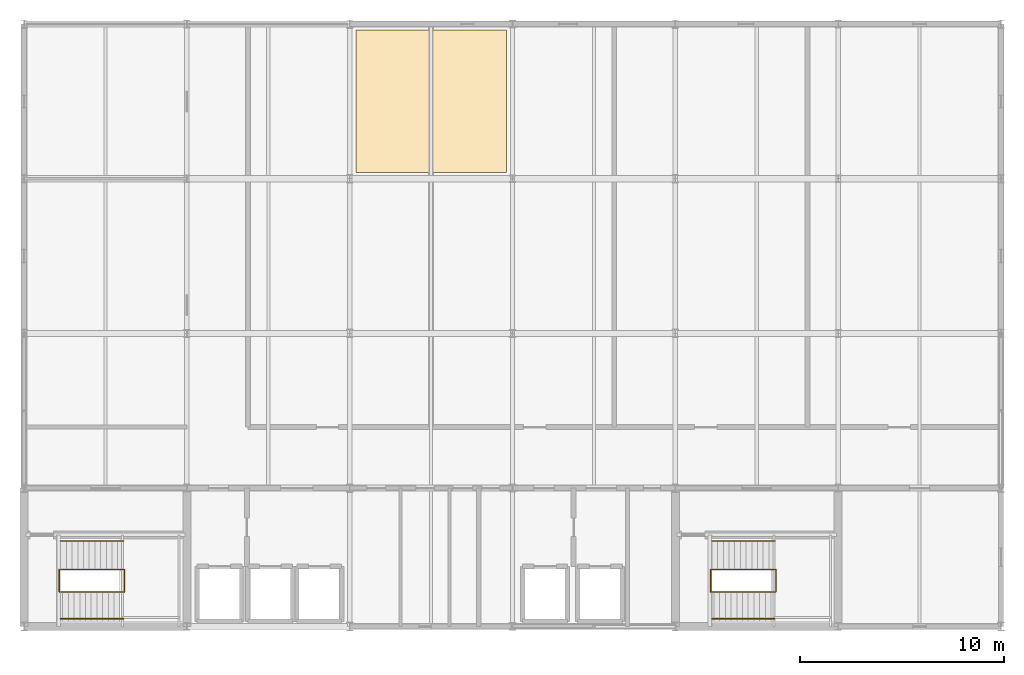
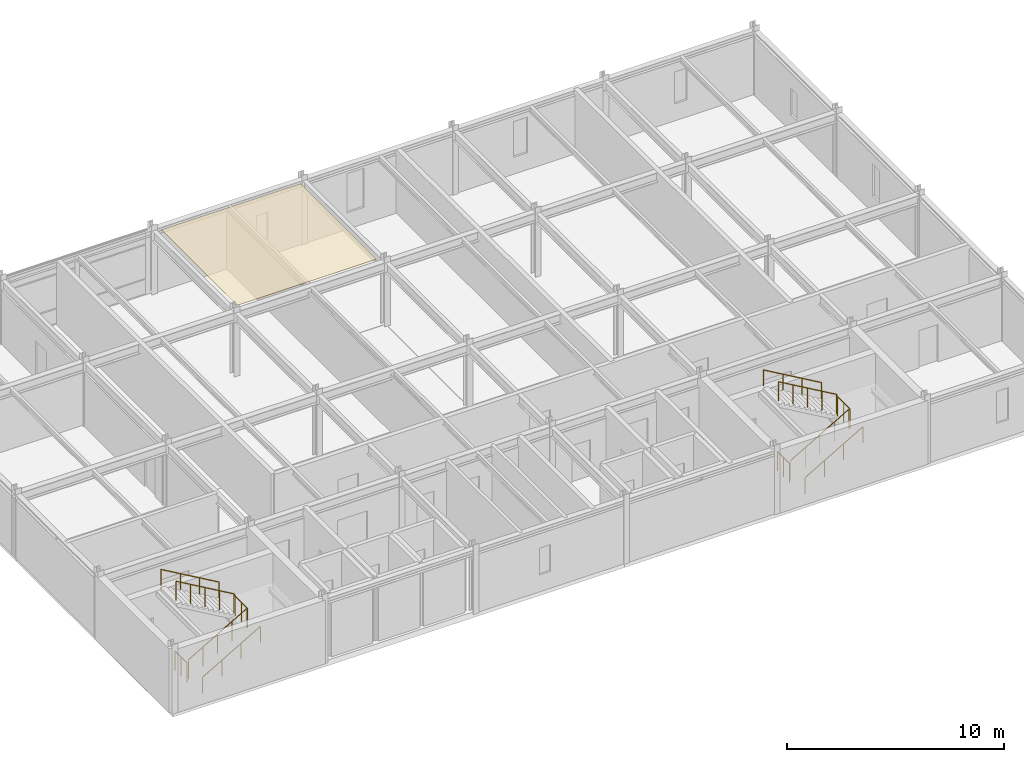
# One storey, part 9 of 9: 8 railings, 1 covering.
"""IFC4 building model written with IfcOpenShell, lengths in metres."""

import ifcopenshell
import ifcopenshell.guid

model = None  # the IFC model being written
_history = None  # IfcOwnerHistory: only IFC2X3 demands one
_inside = {}  # id of a spatial element -> (the spatial element, [elements in it])
_under = {}  # id of a project, library or spatial element -> (it, [spatial elements below it])
_declared = {}  # id of a project -> (the project, [libraries it declares])
_typed = {}  # id of a type object -> (the type object, [elements of that type])
_made_of = {}  # id of a material, layer set ... -> (it, [elements and type objects made of it])


def new_model(schema):
    """Start an empty IFC model of exactly this schema.

    Asked for "IFC4X3", IfcOpenShell would pick the latest addendum, in which some entities
    have other attributes; the version numbers below select the first issue.
    IFC2X3 requires an IfcOwnerHistory on every rooted entity: one is made here for all.
    """
    global model, _history
    if schema == "IFC4X3":
        model = ifcopenshell.file(schema_version=(4, 3, 0, 0))
    else:
        model = ifcopenshell.file(schema=schema)
    _inside.clear()
    _under.clear()
    _declared.clear()
    _typed.clear()
    _made_of.clear()
    _history = None
    if model.schema == "IFC2X3":
        org = make("IfcOrganization", Name="unknown")
        user = make(
            "IfcPersonAndOrganization",
            ThePerson=make("IfcPerson", FamilyName="unknown"),
            TheOrganization=org,
        )
        app = make(
            "IfcApplication",
            ApplicationDeveloper=org,
            Version="unknown",
            ApplicationFullName="unknown",
            ApplicationIdentifier="unknown",
        )
        _history = make(
            "IfcOwnerHistory",
            OwningUser=user,
            OwningApplication=app,
            ChangeAction="ADDED",
            CreationDate=0,
        )
    return model


def make(cls, **values):
    """One entity of the class cls with the attributes given. An attribute that is None is left unset."""
    return model.create_entity(
        cls, **{name: value for name, value in values.items() if value is not None}
    )


def rooted(cls, **values):
    """An entity with a GlobalId (a new one), such as an element, a storey or a relation."""
    return make(cls, GlobalId=ifcopenshell.guid.new(), OwnerHistory=_history, **values)


def si_unit(unit_type, name, prefix=None):
    """IfcSIUnit, for example si_unit("LENGTHUNIT", "METRE", prefix="MILLI")."""
    return make("IfcSIUnit", UnitType=unit_type, Prefix=prefix, Name=name)


def assignment(units):
    """IfcUnitAssignment: the units of a project."""
    return None if units is None else make("IfcUnitAssignment", Units=units)


def point(xyz):
    """IfcCartesianPoint."""
    return None if xyz is None else make("IfcCartesianPoint", Coordinates=xyz)


def direction(xyz):
    """IfcDirection."""
    return None if xyz is None else make("IfcDirection", DirectionRatios=xyz)


def frame(location, z_axis=None, x_axis=None):
    """IfcAxis2Placement3D, a coordinate frame: its origin and axes. An axis left out is left unset."""
    return make(
        "IfcAxis2Placement3D",
        Location=point(location),
        Axis=direction(z_axis),
        RefDirection=direction(x_axis),
    )


def frame_2d(location, x_axis=None):
    """IfcAxis2Placement2D, a coordinate frame in the plane: its origin and x axis."""
    return make(
        "IfcAxis2Placement2D", Location=point(location), RefDirection=direction(x_axis)
    )


def origin():
    """The frame at (0, 0, 0) with its axes left unset."""
    return frame((0.0, 0.0, 0.0))


def origin_2d():
    """The frame at (0, 0) in the plane with its x axis left unset."""
    return frame_2d((0.0, 0.0))


def place(relative_to, where):
    """IfcLocalPlacement: puts the frame where relative to a parent placement (None: the world)."""
    return make(
        "IfcLocalPlacement", PlacementRelTo=relative_to, RelativePlacement=where
    )


def context(
    kind, dimensions, precision=None, world=None, true_north=None, identifier=None
):
    """IfcGeometricRepresentationContext, for example the 3D "Model" context."""
    return make(
        "IfcGeometricRepresentationContext",
        ContextIdentifier=identifier,
        ContextType=kind,
        CoordinateSpaceDimension=dimensions,
        Precision=precision,
        WorldCoordinateSystem=world,
        TrueNorth=true_north,
    )


def subcontext(parent, identifier, kind, view, scale=None):
    """IfcGeometricRepresentationSubContext, for example "Body" below "Model"."""
    return make(
        "IfcGeometricRepresentationSubContext",
        ContextIdentifier=identifier,
        ContextType=kind,
        ParentContext=parent,
        TargetScale=scale,
        TargetView=view,
    )


def project(units=None, contexts=None):
    """IfcProject with its units and contexts."""
    return rooted(
        "IfcProject",
        Name="project",
        RepresentationContexts=contexts,
        UnitsInContext=assignment(units),
    )


def spatial(cls, under=None, at=None, **own):
    """A site, building, storey or space (cls), placed at a placement, below another one or the project."""
    s = rooted(cls, ObjectPlacement=at, **own)
    if under is not None:
        _under.setdefault(under.id(), (under, []))[1].append(s)
    return s


def polyline(points):
    """IfcPolyline through the points."""
    return make("IfcPolyline", Points=[point(p) for p in points])


def profile(cls, at=None, kind="AREA", **sizes):
    """A parametric profile (cls). Its sizes go by their IFC names, for example OverallWidth=200.0."""
    return make(cls, ProfileType=kind, Position=at, **sizes)


def circle(**sizes):
    """IfcCircleProfileDef."""
    return profile("IfcCircleProfileDef", **sizes)


def outline(outer, holes=None, kind="AREA"):
    """IfcArbitraryClosedProfileDef: a profile drawn as a closed curve; with holes, ...WithVoids."""
    if holes is None:
        return make("IfcArbitraryClosedProfileDef", ProfileType=kind, OuterCurve=outer)
    return make(
        "IfcArbitraryProfileDefWithVoids",
        ProfileType=kind,
        OuterCurve=outer,
        InnerCurves=holes,
    )


def extrude(swept, where, along, depth):
    """IfcExtrudedAreaSolid: the profile swept, set in the frame where, extruded along a direction by depth."""
    return make(
        "IfcExtrudedAreaSolid",
        SweptArea=swept,
        Position=where,
        ExtrudedDirection=direction(along),
        Depth=depth,
    )


def shape(context_of_items, identifier, shape_type, items):
    """IfcShapeRepresentation: the items that make up one representation, for example the "Body"."""
    return make(
        "IfcShapeRepresentation",
        ContextOfItems=context_of_items,
        RepresentationIdentifier=identifier,
        RepresentationType=shape_type,
        Items=items,
    )


def material(Name=None, Category=None):
    """IfcMaterial."""
    return make("IfcMaterial", Name=Name, Category=Category)


def layer(
    of_material, thickness, ventilated=None, Name=None, Category=None, Priority=None
):
    """IfcMaterialLayer: one layer of a wall or slab, of a material (None: an air gap)."""
    return make(
        "IfcMaterialLayer",
        Material=of_material,
        LayerThickness=thickness,
        IsVentilated=ventilated,
        Name=Name,
        Category=Category,
        Priority=Priority,
    )


def layer_set(layers, Name=None):
    """IfcMaterialLayerSet."""
    return make("IfcMaterialLayerSet", MaterialLayers=layers, LayerSetName=Name)


def made_of(thing, what):
    """Note that an element or type object is made of a material, layer set ...; save() writes the relation."""
    if what is not None:
        _made_of.setdefault(what.id(), (what, []))[1].append(thing)
    return thing


def type_object(cls, material=None, **own):
    """A type object (cls), such as IfcWallType, which elements share."""
    return made_of(rooted(cls, **own), material)


def element(
    cls,
    number,
    at=None,
    inside=None,
    cuts=None,
    type_object=None,
    material=None,
    context=None,
    identifier="Body",
    shape_type=None,
    held_by="IfcProductDefinitionShape",
    body=None,
    shapes=None,
    **own,
):
    """One element of the class cls, such as IfcWall. Its Tag is "e" and its number.

    at: its placement. inside: the storey or other place that contains it. cuts: it is an
    opening in that element (IfcRelVoidsElement). A single representation is given by context,
    identifier, shape_type and body (its items); several are given by shapes. held_by: the class
    of the entity that holds the representations. save() writes the other relations.
    """
    e = rooted(cls, Tag="e%d" % number, ObjectPlacement=at, **own)
    if body is not None:
        shapes = [shape(context, identifier, shape_type, body)]
    if shapes is not None:
        e.Representation = make(held_by, Representations=shapes)
    if inside is not None:
        _inside.setdefault(inside.id(), (inside, []))[1].append(e)
    if cuts is not None:
        rooted(
            "IfcRelVoidsElement", RelatingBuildingElement=cuts, RelatedOpeningElement=e
        )
    if type_object is not None:
        _typed.setdefault(type_object.id(), (type_object, []))[1].append(e)
    return made_of(e, material)


def aggregate(whole, parts):
    """IfcRelAggregates: a whole, such as a stair, and the parts it consists of."""
    return rooted("IfcRelAggregates", RelatingObject=whole, RelatedObjects=parts)


def save(model, path):
    """Write the relations noted so far, then the file.

    IfcRelAggregates (storeys below a building ...), IfcRelContainedInSpatialStructure (elements
    in a storey), IfcRelDefinesByType, IfcRelAssociatesMaterial and IfcRelDeclares: one each for
    every whole, place, type object, material and project.
    """
    for whole, parts in _under.values():
        aggregate(whole, parts)
    for where, things in _inside.values():
        rooted(
            "IfcRelContainedInSpatialStructure",
            RelatedElements=things,
            RelatingStructure=where,
        )
    for kind, things in _typed.values():
        rooted("IfcRelDefinesByType", RelatedObjects=things, RelatingType=kind)
    for what, things in _made_of.values():
        rooted("IfcRelAssociatesMaterial", RelatedObjects=things, RelatingMaterial=what)
    for by, libraries in _declared.values():
        rooted("IfcRelDeclares", RelatingContext=by, RelatedDefinitions=libraries)
    model.write(path)


model = new_model("IFC4")

# Units and contexts
model_context = context("Model", 3, precision=1e-05, world=origin(), true_north=direction((0.0, 1.0)))
body_context = subcontext(model_context, "Body", "Model", "MODEL_VIEW")
ifc_project = project(units=[si_unit("LENGTHUNIT", "METRE"), si_unit("AREAUNIT", "SQUARE_METRE"), si_unit("VOLUMEUNIT", "CUBIC_METRE"), si_unit("PLANEANGLEUNIT", "RADIAN"), si_unit("MASSUNIT", "GRAM", prefix="KILO")], contexts=[model_context])

# Site, building, storey
site_placement = place(None, origin())
site = spatial("IfcSite", under=ifc_project, at=site_placement, CompositionType="ELEMENT")
building_placement = place(site_placement, origin())
building = spatial("IfcBuilding", under=site, at=building_placement, Name="Shalkamar Park Central Library", CompositionType="ELEMENT")
storey_placement = place(building_placement, frame((0.0, 0.0, 60.0)))
storey = spatial("IfcBuildingStorey", under=building, at=storey_placement, Name="L15", CompositionType="ELEMENT", Elevation=60.0)

# Covering
ifc_material_1 = material(Name="Acoustic mineral fibre ceiling panel", Category="other")
ifc_layer = layer(ifc_material_1, 0.02490234375)
ifc_layer_set = layer_set([ifc_layer], Name="AcousticMineralCeilingTile")
covering_type = type_object("IfcCoveringType", Name="Acoustic Mineral Ceiling Tile", PredefinedType="CEILING", material=ifc_layer_set)
covering_placement = place(storey_placement, frame((0.0, 0.0, 3.554931640625)))
element("IfcCovering", 1, at=covering_placement, inside=storey, type_object=covering_type, Name="Acoustic Reading Ceiling Panel L15", PredefinedType="CEILING", context=body_context, shape_type="SweptSolid", body=[
    extrude(outline(polyline([(181.300048828125, 270.699951171875), (188.699951171875, 270.699951171875), (188.699951171875, 277.699951171875), (181.300048828125, 277.699951171875), (181.300048828125, 270.699951171875)])), origin(), (0.0, 0.0, 1.0), 0.025146484375),
])

# Railings
ifc_material_2 = material(Name="Steel S355", Category="steel")
railing_type_1 = type_object("IfcRailingType", Name="Stair Guardrail 1100", PredefinedType="GUARDRAIL", material=ifc_material_2)
railing_1_placement = place(storey_placement, frame((166.800048828125, 250.090087890625, 0.16259765625)))
element("IfcRailing", 2, at=railing_1_placement, inside=storey, type_object=railing_type_1, Name="Stair Inner Well Guardrail ST-T1-L15", PredefinedType="GUARDRAIL", context=body_context, shape_type="SweptSolid", body=[
    extrude(circle(Radius=0.02392578125, at=origin_2d()), frame((0.0, 0.0, 1.076171875), z_axis=(0.864903211148, 0.0, 0.501938676878), x_axis=(0.0, 1.0, 0.0)), (0.0, 0.0, 1.0), 3.560791015625),
    extrude(circle(Radius=0.02392578125, at=origin_2d()), frame((3.079833984375, 0.0, 2.86328125), z_axis=(1.0, 0.0, 0.0), x_axis=(0.0, 1.0, 0.0)), (0.0, 0.0, 1.0), 0.06005859375),
    extrude(circle(Radius=0.02392578125, at=origin_2d()), frame((3.139892578125, 0.0, 2.86328125), z_axis=(0.0, 1.0, 0.0), x_axis=(-1.0, 0.0, 0.0)), (0.0, 0.0, 1.0), 1.119873046875),
    extrude(circle(Radius=0.02392578125, at=origin_2d()), frame((3.139892578125, 1.119873046875, 2.86328125), z_axis=(-0.346488496144, 0.0, 0.938054221269), x_axis=(0.0, -1.0, 0.0)), (0.0, 0.0, 1.0), 0.17333984375),
    extrude(circle(Radius=0.02392578125, at=origin_2d()), frame((3.079833984375, 1.119873046875, 3.02587890625), z_axis=(-0.864903211148, 0.0, 0.501938676878), x_axis=(0.0, -1.0, 0.0)), (0.0, 0.0, 1.0), 3.560791015625),
    extrude(circle(Radius=0.02099609375, at=origin_2d()), origin(), (0.0, 0.0, 1.0), 1.052001953125),
    extrude(circle(Radius=0.02099609375, at=origin_2d()), frame((0.77001953125, 0.0, 0.44677734375)), (0.0, 0.0, 1.0), 1.052001953125),
    extrude(circle(Radius=0.02099609375, at=origin_2d()), frame((1.5400390625, 0.0, 0.8935546875)), (0.0, 0.0, 1.0), 1.052001953125),
    extrude(circle(Radius=0.02099609375, at=origin_2d()), frame((2.309814453125, 0.0, 1.340576171875)), (0.0, 0.0, 1.0), 1.052001953125),
    extrude(circle(Radius=0.02099609375, at=origin_2d()), frame((3.079833984375, 0.0, 1.787353515625)), (0.0, 0.0, 1.0), 1.052001953125),
    extrude(circle(Radius=0.02099609375, at=origin_2d()), frame((3.139892578125, 0.0, 1.787353515625)), (0.0, 0.0, 1.0), 1.052001953125),
    extrude(circle(Radius=0.02099609375, at=origin_2d()), frame((3.139892578125, 0.56005859375, 1.787353515625)), (0.0, 0.0, 1.0), 1.052001953125),
    extrude(circle(Radius=0.02099609375, at=origin_2d()), frame((3.139892578125, 1.119873046875, 1.787353515625)), (0.0, 0.0, 1.0), 1.052001953125),
    extrude(circle(Radius=0.02099609375, at=origin_2d()), frame((3.079833984375, 1.119873046875, 1.949951171875)), (0.0, 0.0, 1.0), 1.052001953125),
    extrude(circle(Radius=0.02099609375, at=origin_2d()), frame((2.309814453125, 1.119873046875, 2.396728515625)), (0.0, 0.0, 1.0), 1.052001953125),
    extrude(circle(Radius=0.02099609375, at=origin_2d()), frame((1.5400390625, 1.119873046875, 2.84375)), (0.0, 0.0, 1.0), 1.052001953125),
    extrude(circle(Radius=0.02099609375, at=origin_2d()), frame((0.77001953125, 1.119873046875, 3.29052734375)), (0.0, 0.0, 1.0), 1.052001953125),
    extrude(circle(Radius=0.02099609375, at=origin_2d()), frame((0.0, 1.119873046875, 3.7373046875)), (0.0, 0.0, 1.0), 1.052001953125),
])
railing_2_placement = place(storey_placement, frame((166.739990234375, 250.10009765625, 0.0)))
element("IfcRailing", 3, at=railing_2_placement, inside=storey, type_object=railing_type_1, Name="Stair Arrival Well Guardrail ST-T1 (L15)", PredefinedType="GUARDRAIL", context=body_context, shape_type="SweptSolid", body=[
    extrude(circle(Radius=0.02392578125, at=origin_2d()), frame((0.0, 0.0, 1.076171875), z_axis=(0.0, 1.0, 0.0), x_axis=(-1.0, 0.0, 0.0)), (0.0, 0.0, 1.0), 1.099853515625),
    extrude(circle(Radius=0.02099609375, at=origin_2d()), origin(), (0.0, 0.0, 1.0), 1.052001953125),
    extrude(circle(Radius=0.02099609375, at=origin_2d()), frame((0.0, 0.5498046875, 0.0)), (0.0, 0.0, 1.0), 1.052001953125),
    extrude(circle(Radius=0.02099609375, at=origin_2d()), frame((0.0, 1.099853515625, 0.0)), (0.0, 0.0, 1.0), 1.052001953125),
])
railing_3_placement = place(storey_placement, frame((198.800048828125, 250.090087890625, 0.16259765625)))
element("IfcRailing", 4, at=railing_3_placement, inside=storey, type_object=railing_type_1, Name="Stair Inner Well Guardrail ST-T2-L15", PredefinedType="GUARDRAIL", context=body_context, shape_type="SweptSolid", body=[
    extrude(circle(Radius=0.02392578125, at=origin_2d()), frame((0.0, 0.0, 1.076171875), z_axis=(0.864903211148, 0.0, 0.501938676878), x_axis=(0.0, 1.0, 0.0)), (0.0, 0.0, 1.0), 3.560791015625),
    extrude(circle(Radius=0.02392578125, at=origin_2d()), frame((3.079833984375, 0.0, 2.86328125), z_axis=(1.0, 0.0, 0.0), x_axis=(0.0, 1.0, 0.0)), (0.0, 0.0, 1.0), 0.06005859375),
    extrude(circle(Radius=0.02392578125, at=origin_2d()), frame((3.139892578125, 0.0, 2.86328125), z_axis=(0.0, 1.0, 0.0), x_axis=(-1.0, 0.0, 0.0)), (0.0, 0.0, 1.0), 1.119873046875),
    extrude(circle(Radius=0.02392578125, at=origin_2d()), frame((3.139892578125, 1.119873046875, 2.86328125), z_axis=(-0.346488496144, 0.0, 0.938054221269), x_axis=(0.0, -1.0, 0.0)), (0.0, 0.0, 1.0), 0.17333984375),
    extrude(circle(Radius=0.02392578125, at=origin_2d()), frame((3.079833984375, 1.119873046875, 3.02587890625), z_axis=(-0.864903211148, 0.0, 0.501938676878), x_axis=(0.0, -1.0, 0.0)), (0.0, 0.0, 1.0), 3.560791015625),
    extrude(circle(Radius=0.02099609375, at=origin_2d()), origin(), (0.0, 0.0, 1.0), 1.052001953125),
    extrude(circle(Radius=0.02099609375, at=origin_2d()), frame((0.77001953125, 0.0, 0.44677734375)), (0.0, 0.0, 1.0), 1.052001953125),
    extrude(circle(Radius=0.02099609375, at=origin_2d()), frame((1.5400390625, 0.0, 0.8935546875)), (0.0, 0.0, 1.0), 1.052001953125),
    extrude(circle(Radius=0.02099609375, at=origin_2d()), frame((2.309814453125, 0.0, 1.340576171875)), (0.0, 0.0, 1.0), 1.052001953125),
    extrude(circle(Radius=0.02099609375, at=origin_2d()), frame((3.079833984375, 0.0, 1.787353515625)), (0.0, 0.0, 1.0), 1.052001953125),
    extrude(circle(Radius=0.02099609375, at=origin_2d()), frame((3.139892578125, 0.0, 1.787353515625)), (0.0, 0.0, 1.0), 1.052001953125),
    extrude(circle(Radius=0.02099609375, at=origin_2d()), frame((3.139892578125, 0.56005859375, 1.787353515625)), (0.0, 0.0, 1.0), 1.052001953125),
    extrude(circle(Radius=0.02099609375, at=origin_2d()), frame((3.139892578125, 1.119873046875, 1.787353515625)), (0.0, 0.0, 1.0), 1.052001953125),
    extrude(circle(Radius=0.02099609375, at=origin_2d()), frame((3.079833984375, 1.119873046875, 1.949951171875)), (0.0, 0.0, 1.0), 1.052001953125),
    extrude(circle(Radius=0.02099609375, at=origin_2d()), frame((2.309814453125, 1.119873046875, 2.396728515625)), (0.0, 0.0, 1.0), 1.052001953125),
    extrude(circle(Radius=0.02099609375, at=origin_2d()), frame((1.5400390625, 1.119873046875, 2.84375)), (0.0, 0.0, 1.0), 1.052001953125),
    extrude(circle(Radius=0.02099609375, at=origin_2d()), frame((0.77001953125, 1.119873046875, 3.29052734375)), (0.0, 0.0, 1.0), 1.052001953125),
    extrude(circle(Radius=0.02099609375, at=origin_2d()), frame((0.0, 1.119873046875, 3.7373046875)), (0.0, 0.0, 1.0), 1.052001953125),
])
railing_4_placement = place(storey_placement, frame((198.739990234375, 250.10009765625, 0.0)))
element("IfcRailing", 5, at=railing_4_placement, inside=storey, type_object=railing_type_1, Name="Stair Arrival Well Guardrail ST-T2 (L15)", PredefinedType="GUARDRAIL", context=body_context, shape_type="SweptSolid", body=[
    extrude(circle(Radius=0.02392578125, at=origin_2d()), frame((0.0, 0.0, 1.076171875), z_axis=(0.0, 1.0, 0.0), x_axis=(-1.0, 0.0, 0.0)), (0.0, 0.0, 1.0), 1.099853515625),
    extrude(circle(Radius=0.02099609375, at=origin_2d()), origin(), (0.0, 0.0, 1.0), 1.052001953125),
    extrude(circle(Radius=0.02099609375, at=origin_2d()), frame((0.0, 0.5498046875, 0.0)), (0.0, 0.0, 1.0), 1.052001953125),
    extrude(circle(Radius=0.02099609375, at=origin_2d()), frame((0.0, 1.099853515625, 0.0)), (0.0, 0.0, 1.0), 1.052001953125),
])
railing_type_2 = type_object("IfcRailingType", Name="Stair Pitched Handrail 920", PredefinedType="HANDRAIL", material=ifc_material_2)
railing_5_placement = place(storey_placement, frame((166.800048828125, 248.780029296875, 0.16259765625)))
element("IfcRailing", 6, at=railing_5_placement, inside=storey, type_object=railing_type_2, Name="Stair Wall Handrail ST-T1-L15 Flight 1", PredefinedType="HANDRAIL", context=body_context, shape_type="SweptSolid", body=[
    extrude(circle(Radius=0.02392578125, at=origin_2d()), frame((0.0, 0.0, 0.89599609375), z_axis=(0.864903211148, 0.0, 0.501938676878), x_axis=(0.0, 1.0, 0.0)), (0.0, 0.0, 1.0), 3.560791015625),
    extrude(circle(Radius=0.02099609375, at=origin_2d()), origin(), (0.0, 0.0, 1.0), 0.871826171875),
    extrude(circle(Radius=0.02099609375, at=origin_2d()), frame((1.026611328125, 0.0, 0.595703125)), (0.0, 0.0, 1.0), 0.871826171875),
    extrude(circle(Radius=0.02099609375, at=origin_2d()), frame((2.05322265625, 0.0, 1.191650390625)), (0.0, 0.0, 1.0), 0.871826171875),
    extrude(circle(Radius=0.02099609375, at=origin_2d()), frame((3.079833984375, 0.0, 1.787353515625)), (0.0, 0.0, 1.0), 0.871826171875),
])
railing_6_placement = place(storey_placement, frame((169.8798828125, 252.60009765625, 2.112548828125)))
element("IfcRailing", 7, at=railing_6_placement, inside=storey, type_object=railing_type_2, Name="Stair Wall Handrail ST-T1-L15 Flight 2", PredefinedType="HANDRAIL", context=body_context, shape_type="SweptSolid", body=[
    extrude(circle(Radius=0.02392578125, at=origin_2d()), frame((0.0, 0.0, 0.89599609375), z_axis=(-0.864903211148, 0.0, 0.501938676878), x_axis=(0.0, -1.0, 0.0)), (0.0, 0.0, 1.0), 3.560791015625),
    extrude(circle(Radius=0.02099609375, at=origin_2d()), origin(), (0.0, 0.0, 1.0), 0.871826171875),
    extrude(circle(Radius=0.02099609375, at=origin_2d()), frame((-1.026611328125, 0.0, 0.595703125)), (0.0, 0.0, 1.0), 0.871826171875),
    extrude(circle(Radius=0.02099609375, at=origin_2d()), frame((-2.05322265625, 0.0, 1.191650390625)), (0.0, 0.0, 1.0), 0.871826171875),
    extrude(circle(Radius=0.02099609375, at=origin_2d()), frame((-3.079833984375, 0.0, 1.787353515625)), (0.0, 0.0, 1.0), 0.871826171875),
])
railing_7_placement = place(storey_placement, frame((198.800048828125, 248.780029296875, 0.16259765625)))
element("IfcRailing", 8, at=railing_7_placement, inside=storey, type_object=railing_type_2, Name="Stair Wall Handrail ST-T2-L15 Flight 1", PredefinedType="HANDRAIL", context=body_context, shape_type="SweptSolid", body=[
    extrude(circle(Radius=0.02392578125, at=origin_2d()), frame((0.0, 0.0, 0.89599609375), z_axis=(0.864903211148, 0.0, 0.501938676878), x_axis=(0.0, 1.0, 0.0)), (0.0, 0.0, 1.0), 3.560791015625),
    extrude(circle(Radius=0.02099609375, at=origin_2d()), origin(), (0.0, 0.0, 1.0), 0.871826171875),
    extrude(circle(Radius=0.02099609375, at=origin_2d()), frame((1.026611328125, 0.0, 0.595703125)), (0.0, 0.0, 1.0), 0.871826171875),
    extrude(circle(Radius=0.02099609375, at=origin_2d()), frame((2.05322265625, 0.0, 1.191650390625)), (0.0, 0.0, 1.0), 0.871826171875),
    extrude(circle(Radius=0.02099609375, at=origin_2d()), frame((3.079833984375, 0.0, 1.787353515625)), (0.0, 0.0, 1.0), 0.871826171875),
])
railing_8_placement = place(storey_placement, frame((201.8798828125, 252.60009765625, 2.112548828125)))
element("IfcRailing", 9, at=railing_8_placement, inside=storey, type_object=railing_type_2, Name="Stair Wall Handrail ST-T2-L15 Flight 2", PredefinedType="HANDRAIL", context=body_context, shape_type="SweptSolid", body=[
    extrude(circle(Radius=0.02392578125, at=origin_2d()), frame((0.0, 0.0, 0.89599609375), z_axis=(-0.864903211148, 0.0, 0.501938676878), x_axis=(0.0, -1.0, 0.0)), (0.0, 0.0, 1.0), 3.560791015625),
    extrude(circle(Radius=0.02099609375, at=origin_2d()), origin(), (0.0, 0.0, 1.0), 0.871826171875),
    extrude(circle(Radius=0.02099609375, at=origin_2d()), frame((-1.026611328125, 0.0, 0.595703125)), (0.0, 0.0, 1.0), 0.871826171875),
    extrude(circle(Radius=0.02099609375, at=origin_2d()), frame((-2.05322265625, 0.0, 1.191650390625)), (0.0, 0.0, 1.0), 0.871826171875),
    extrude(circle(Radius=0.02099609375, at=origin_2d()), frame((-3.079833984375, 0.0, 1.787353515625)), (0.0, 0.0, 1.0), 0.871826171875),
])

save(model, "model.ifc")
